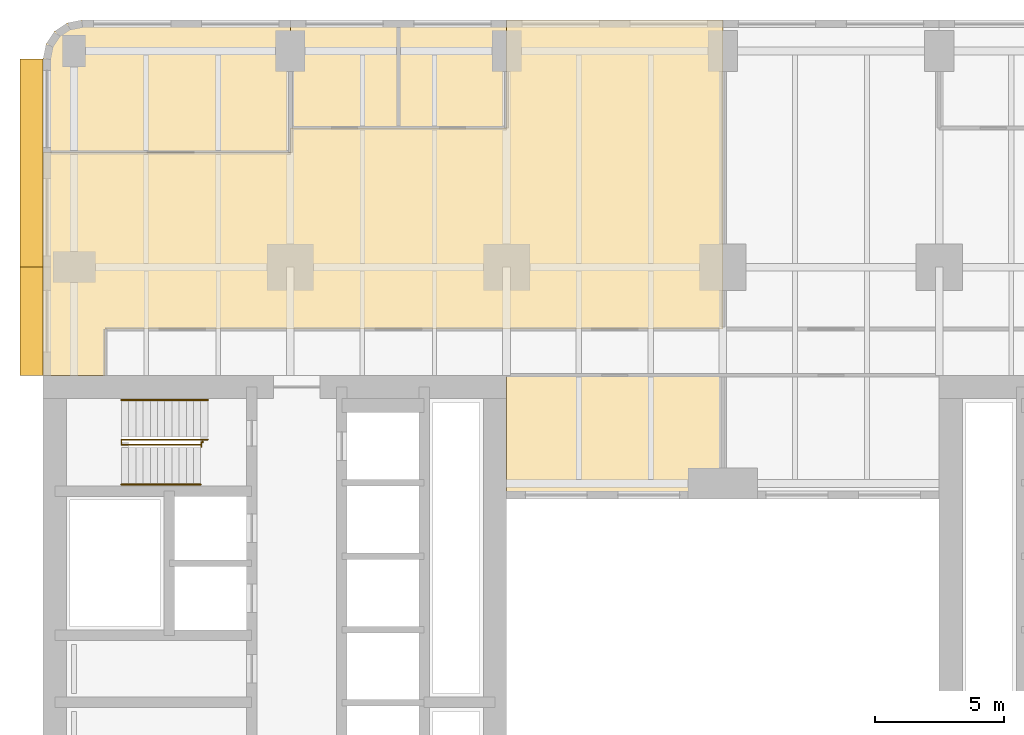
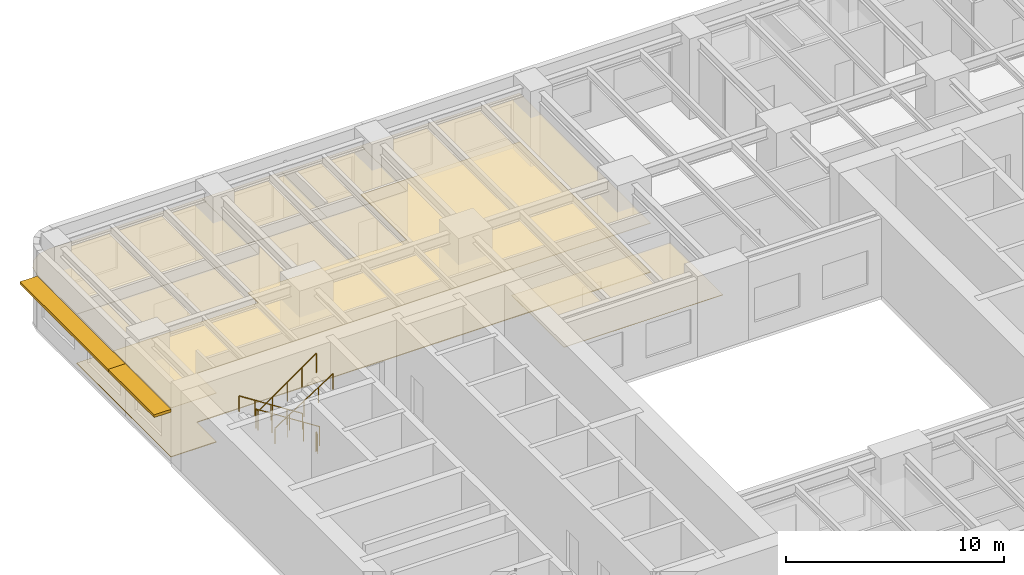
# One storey, part 11 of 12: 6 coverings, 4 railings, 2 shading devices.
"""IFC4 building model written with IfcOpenShell, lengths in metres."""

from ifc_helpers import new_model, si_unit, direction, frame, origin, origin_2d, place, context, subcontext, project, spatial, polyline, rectangle, circle, outline, extrude, material, layer, layer_set, type_object, element, save


model = new_model("IFC4")

# Units and contexts
model_context = context("Model", 3, precision=1e-05, world=origin(), true_north=direction((0.0, 1.0)))
body_context = subcontext(model_context, "Body", "Model", "MODEL_VIEW")
ifc_project = project(units=[si_unit("LENGTHUNIT", "METRE"), si_unit("AREAUNIT", "SQUARE_METRE"), si_unit("VOLUMEUNIT", "CUBIC_METRE"), si_unit("PLANEANGLEUNIT", "RADIAN"), si_unit("MASSUNIT", "GRAM", prefix="KILO")], contexts=[model_context])

# Site, building, storey
site_placement = place(None, origin())
site = spatial("IfcSite", under=ifc_project, at=site_placement, CompositionType="ELEMENT")
building_placement = place(site_placement, origin())
building = spatial("IfcBuilding", under=site, at=building_placement, Name="Claustro Exchange Tower", CompositionType="ELEMENT")
storey_placement = place(building_placement, frame((0.0, 0.0, 50.39990234375)))
storey = spatial("IfcBuildingStorey", under=building, at=storey_placement, Name="L11", CompositionType="ELEMENT", Elevation=50.39990234375)

# Coverings
ifc_material_1 = material(Name="Perforated metal ceiling tiles", Category="steel")
ifc_layer_1 = layer(ifc_material_1, 0.030029296875)
ifc_layer_set_1 = layer_set([ifc_layer_1], Name="Perforated metal ceiling tiles")
covering_type_1 = type_object("IfcCoveringType", Name="CL1 suspended metal ceiling", PredefinedType="CEILING", material=ifc_layer_set_1)
covering_1_placement = place(storey_placement, frame((0.0, 0.0, 3.0)))
element("IfcCovering", 1, at=covering_1_placement, inside=storey, type_object=covering_type_1, Name="Ceiling CL1 L11-12", PredefinedType="CEILING", context=body_context, shape_type="SweptSolid", body=[
    extrude(outline(polyline([(16.800048828125, 33.0), (25.199951171875, 33.0), (25.199951171875, 37.800048828125), (16.800048828125, 37.800048828125), (16.800048828125, 33.0)])), origin(), (0.0, 0.0, 1.0), 0.030029296875),
])
ifc_material_2 = material(Name="Gypsum board ceiling", Category="gypsum board")
ifc_layer_2 = layer(ifc_material_2, 0.02490234375)
ifc_layer_set_2 = layer_set([ifc_layer_2], Name="Gypsum board ceiling")
covering_type_2 = type_object("IfcCoveringType", Name="CL2 plasterboard ceiling", PredefinedType="CEILING", material=ifc_layer_set_2)
covering_2_placement = place(storey_placement, frame((0.0, 0.0, 3.0)))
element("IfcCovering", 2, at=covering_2_placement, inside=storey, type_object=covering_type_2, Name="Ceiling CL2 L11-15", PredefinedType="CEILING", context=body_context, shape_type="SweptSolid", body=[
    extrude(outline(polyline([(-1.199951171875, 46.449951171875), (-1.199951171875, 37.800048828125), (1.199951171875, 37.800048828125), (1.199951171875, 39.60009765625), (25.199951171875, 39.60009765625), (25.199951171875, 51.60009765625), (16.800048828125, 51.60009765625), (16.800048828125, 47.39990234375), (12.60009765625, 47.39990234375), (8.39990234375, 47.39990234375), (8.39990234375, 46.449951171875), (-1.199951171875, 46.449951171875)])), origin(), (0.0, 0.0, 1.0), 0.025146484375),
])
covering_3_placement = place(storey_placement, frame((0.0, 0.0, 3.0)))
element("IfcCovering", 3, at=covering_3_placement, inside=storey, type_object=covering_type_2, Name="Ceiling CL2 L11-17", PredefinedType="CEILING", context=body_context, shape_type="SweptSolid", body=[
    extrude(outline(polyline([(-1.199951171875, 50.10009765625), (-1.199951171875, 46.449951171875), (8.39990234375, 46.449951171875), (8.39990234375, 51.60009765625), (0.300048828125, 51.60009765625), (-0.27392578125, 51.48583984375), (-0.7607421875, 51.16064453125), (-1.085693359375, 50.674072265625), (-1.199951171875, 50.10009765625)])), origin(), (0.0, 0.0, 1.0), 0.025146484375),
])
covering_4_placement = place(storey_placement, frame((0.0, 0.0, 3.0)))
element("IfcCovering", 4, at=covering_4_placement, inside=storey, type_object=covering_type_2, Name="Ceiling CL2 L11-19", PredefinedType="CEILING", context=body_context, shape_type="SweptSolid", body=[
    extrude(outline(polyline([(12.60009765625, 51.60009765625), (8.39990234375, 51.60009765625), (8.39990234375, 47.39990234375), (12.60009765625, 47.39990234375), (12.60009765625, 51.60009765625)])), origin(), (0.0, 0.0, 1.0), 0.025146484375),
])
covering_5_placement = place(storey_placement, frame((0.0, 0.0, 3.0)))
element("IfcCovering", 5, at=covering_5_placement, inside=storey, type_object=covering_type_2, Name="Ceiling CL2 L11-20", PredefinedType="CEILING", context=body_context, shape_type="SweptSolid", body=[
    extrude(outline(polyline([(16.800048828125, 51.60009765625), (12.60009765625, 51.60009765625), (12.60009765625, 47.39990234375), (16.800048828125, 47.39990234375), (16.800048828125, 51.60009765625)])), origin(), (0.0, 0.0, 1.0), 0.025146484375),
])

# Railings
ifc_material_3 = material(Name="Steel balustrade, painted", Category="steel")
railing_type_1 = type_object("IfcRailingType", Name="GR2 1100 steel stair guard", PredefinedType="GUARDRAIL", material=ifc_material_3)
railing_1_placement = place(storey_placement, frame((5.199951171875, 35.300048828125, 0.18017578125)))
element("IfcRailing", 6, at=railing_1_placement, inside=storey, type_object=railing_type_1, Name="Stair well guard GR2 stair STWB L11", PredefinedType="GUARDRAIL", context=body_context, shape_type="SweptSolid", body=[
    extrude(circle(Radius=0.02392578125, at=origin_2d()), frame((0.0, 0.0, 1.076171875), z_axis=(-0.841178475377, 0.0, 0.540757591313), x_axis=(0.0, -1.0, 0.0)), (0.0, 0.0, 1.0), 3.994140625),
    extrude(circle(Radius=0.02392578125, at=origin_2d()), frame((-3.35986328125, 0.0, 3.23583984375), z_axis=(0.0, -1.0, 0.0), x_axis=(1.0, 0.0, 0.0)), (0.0, 0.0, 1.0), 0.199951171875),
    extrude(circle(Radius=0.02392578125, at=origin_2d()), frame((-3.35986328125, -0.199951171875, 3.23583984375), z_axis=(0.818728512145, 0.0, 0.574180828137), x_axis=(0.0, 1.0, 0.0)), (0.0, 0.0, 1.0), 3.76171875),
    extrude(circle(Radius=0.02099609375, at=origin_2d()), origin(), (0.0, 0.0, 1.0), 1.052001953125),
    extrude(circle(Radius=0.02099609375, at=origin_2d()), frame((-0.83984375, 0.0, 0.5400390625)), (0.0, 0.0, 1.0), 1.052001953125),
    extrude(circle(Radius=0.02099609375, at=origin_2d()), frame((-1.679931640625, 0.0, 1.080078125)), (0.0, 0.0, 1.0), 1.052001953125),
    extrude(circle(Radius=0.02099609375, at=origin_2d()), frame((-2.52001953125, 0.0, 1.619873046875)), (0.0, 0.0, 1.0), 1.052001953125),
    extrude(circle(Radius=0.02099609375, at=origin_2d()), frame((-3.35986328125, 0.0, 2.159912109375)), (0.0, 0.0, 1.0), 1.052001953125),
    extrude(circle(Radius=0.02099609375, at=origin_2d()), frame((-3.35986328125, -0.199951171875, 2.159912109375)), (0.0, 0.0, 1.0), 1.052001953125),
    extrude(circle(Radius=0.02099609375, at=origin_2d()), frame((-2.58984375, -0.199951171875, 2.699951171875)), (0.0, 0.0, 1.0), 1.052001953125),
    extrude(circle(Radius=0.02099609375, at=origin_2d()), frame((-1.81982421875, -0.199951171875, 3.23974609375)), (0.0, 0.0, 1.0), 1.052001953125),
    extrude(circle(Radius=0.02099609375, at=origin_2d()), frame((-1.050048828125, -0.199951171875, 3.77978515625)), (0.0, 0.0, 1.0), 1.052001953125),
    extrude(circle(Radius=0.02099609375, at=origin_2d()), frame((-0.280029296875, -0.199951171875, 4.31982421875)), (0.0, 0.0, 1.0), 1.052001953125),
])
railing_2_placement = place(storey_placement, frame((5.0, 35.22998046875, 0.0)))
element("IfcRailing", 7, at=railing_2_placement, inside=storey, type_object=railing_type_1, Name="Stair guard GR2 STWB L11", PredefinedType="GUARDRAIL", context=body_context, shape_type="SweptSolid", body=[
    extrude(circle(Radius=0.02392578125, at=origin_2d()), frame((0.0, 0.0, 1.076171875), z_axis=(0.0, -1.0, 0.0), x_axis=(1.0, 0.0, 0.0)), (0.0, 0.0, 1.0), 0.030029296875),
    extrude(circle(Radius=0.02392578125, at=origin_2d()), frame((0.0, -0.030029296875, 1.076171875), z_axis=(-1.0, 0.0, 0.0), x_axis=(0.0, -1.0, 0.0)), (0.0, 0.0, 1.0), 0.054931640625),
    extrude(circle(Radius=0.02392578125, at=origin_2d()), frame((-0.054931640625, -0.030029296875, 1.076171875), z_axis=(0.0, -1.0, 0.0), x_axis=(1.0, 0.0, 0.0)), (0.0, 0.0, 1.0), 0.179931640625),
    extrude(circle(Radius=0.02099609375, at=origin_2d()), origin(), (0.0, 0.0, 1.0), 1.052001953125),
    extrude(circle(Radius=0.02099609375, at=origin_2d()), frame((0.0, -0.030029296875, 0.0)), (0.0, 0.0, 1.0), 1.052001953125),
    extrude(circle(Radius=0.02099609375, at=origin_2d()), frame((-0.054931640625, -0.030029296875, 0.0)), (0.0, 0.0, 1.0), 1.052001953125),
    extrude(circle(Radius=0.02099609375, at=origin_2d()), frame((-0.054931640625, -0.2099609375, 0.0)), (0.0, 0.0, 1.0), 1.052001953125),
])
ifc_material_4 = material(Name="Stainless steel tube", Category="steel")
railing_type_2 = type_object("IfcRailingType", Name="HR1 900 stair handrail", PredefinedType="HANDRAIL", material=ifc_material_4)
railing_3_placement = place(storey_placement, frame((5.199951171875, 36.840087890625, 0.18017578125)))
element("IfcRailing", 8, at=railing_3_placement, inside=storey, type_object=railing_type_2, Name="Handrail HR1 stair STWB L11", PredefinedType="HANDRAIL", context=body_context, shape_type="SweptSolid", body=[
    extrude(circle(Radius=0.02392578125, at=origin_2d()), frame((0.0, 0.0, 0.8759765625), z_axis=(-0.841178475377, 0.0, 0.540757591313), x_axis=(0.0, -1.0, 0.0)), (0.0, 0.0, 1.0), 3.994140625),
    extrude(circle(Radius=0.02099609375, at=origin_2d()), origin(), (0.0, 0.0, 1.0), 0.851806640625),
    extrude(circle(Radius=0.02099609375, at=origin_2d()), frame((-0.83984375, 0.0, 0.5400390625)), (0.0, 0.0, 1.0), 0.851806640625),
    extrude(circle(Radius=0.02099609375, at=origin_2d()), frame((-1.679931640625, 0.0, 1.080078125)), (0.0, 0.0, 1.0), 0.851806640625),
    extrude(circle(Radius=0.02099609375, at=origin_2d()), frame((-2.52001953125, 0.0, 1.619873046875)), (0.0, 0.0, 1.0), 0.851806640625),
    extrude(circle(Radius=0.02099609375, at=origin_2d()), frame((-3.35986328125, 0.0, 2.159912109375)), (0.0, 0.0, 1.0), 0.851806640625),
])
railing_4_placement = place(storey_placement, frame((1.840087890625, 33.56005859375, 2.52001953125)))
element("IfcRailing", 9, at=railing_4_placement, inside=storey, type_object=railing_type_2, Name="Handrail HR1 stair STWB L11", PredefinedType="HANDRAIL", context=body_context, shape_type="SweptSolid", body=[
    extrude(circle(Radius=0.02392578125, at=origin_2d()), frame((0.0, 0.0, 0.8759765625), z_axis=(0.841167642724, 0.0, 0.540774441735), x_axis=(0.0, 1.0, 0.0)), (0.0, 0.0, 1.0), 3.661376953125),
    extrude(circle(Radius=0.02099609375, at=origin_2d()), origin(), (0.0, 0.0, 1.0), 0.851806640625),
    extrude(circle(Radius=0.02099609375, at=origin_2d()), frame((0.77001953125, 0.0, 0.4951171875)), (0.0, 0.0, 1.0), 0.851806640625),
    extrude(circle(Radius=0.02099609375, at=origin_2d()), frame((1.5400390625, 0.0, 0.989990234375)), (0.0, 0.0, 1.0), 0.851806640625),
    extrude(circle(Radius=0.02099609375, at=origin_2d()), frame((2.309814453125, 0.0, 1.48486328125)), (0.0, 0.0, 1.0), 0.851806640625),
    extrude(circle(Radius=0.02099609375, at=origin_2d()), frame((3.079833984375, 0.0, 1.97998046875)), (0.0, 0.0, 1.0), 0.851806640625),
])

# Covering
ifc_material_5 = material(Name="Steel-encased raised floor panels on pedestals", Category="steel")
ifc_layer_3 = layer(ifc_material_5, 0.0400390625)
ifc_layer_set_3 = layer_set([ifc_layer_3], Name="Steel-encased raised floor panels on pedestals")
covering_type_3 = type_object("IfcCoveringType", Name="RF1 300 raised access floor", PredefinedType="FLOORING", material=ifc_layer_set_3)
covering_6_placement = place(storey_placement, frame((0.0, 0.0, 0.260009765625)))
element("IfcCovering", 10, at=covering_6_placement, inside=storey, type_object=covering_type_3, Name="Raised access floor RF1 L11-15", PredefinedType="FLOORING", context=body_context, shape_type="SweptSolid", body=[
    extrude(outline(polyline([(-1.199951171875, 46.449951171875), (-1.199951171875, 37.800048828125), (1.199951171875, 37.800048828125), (1.199951171875, 39.60009765625), (25.199951171875, 39.60009765625), (25.199951171875, 51.60009765625), (16.800048828125, 51.60009765625), (16.800048828125, 47.39990234375), (12.60009765625, 47.39990234375), (8.39990234375, 47.39990234375), (8.39990234375, 46.449951171875), (-1.199951171875, 46.449951171875)])), origin(), (0.0, 0.0, 1.0), 0.0400390625),
])

# Shading devices
ifc_material_6 = material(Name="Concrete HA-40 (C40/50), precast, white cement, acid-etched", Category="concrete")
ifc_layer_4 = layer(ifc_material_6, 0.14990234375)
ifc_layer_set_4 = layer_set([ifc_layer_4], Name="Concrete HA-40 (C40/50), precast, white cement, acid-etched")
shading_device_type = type_object("IfcShadingDeviceType", Name="SS2 900 precast concrete SUNSHADE", PredefinedType="SHUTTER", material=ifc_layer_set_4)
shading_device_1_placement = place(storey_placement, frame((-1.64990234375, 39.89990234375, 2.800048828125), z_axis=(0.0, 0.0, 1.0), x_axis=(0.0, 1.0, 0.0)))
element("IfcShadingDevice", 11, at=shading_device_1_placement, inside=storey, type_object=shading_device_type, Name="Precast SUNSHADE SS2 L11", PredefinedType="SHUTTER", context=body_context, shape_type="SweptSolid", body=[
    extrude(rectangle(XDim=4.199951171875, YDim=0.89990234375, at=origin_2d()), origin(), (0.0, 0.0, 1.0), 0.14990234375),
])
shading_device_2_placement = place(storey_placement, frame((-1.64990234375, 46.04248046875, 2.800048828125), z_axis=(0.0, 0.0, 1.0), x_axis=(0.0, 1.0, 0.0)))
element("IfcShadingDevice", 12, at=shading_device_2_placement, inside=storey, type_object=shading_device_type, Name="Precast SUNSHADE SS2 L11", PredefinedType="SHUTTER", context=body_context, shape_type="SweptSolid", body=[
    extrude(rectangle(XDim=8.085205078125, YDim=0.89990234375, at=origin_2d()), origin(), (0.0, 0.0, 1.0), 0.14990234375),
])

save(model, "model.ifc")
